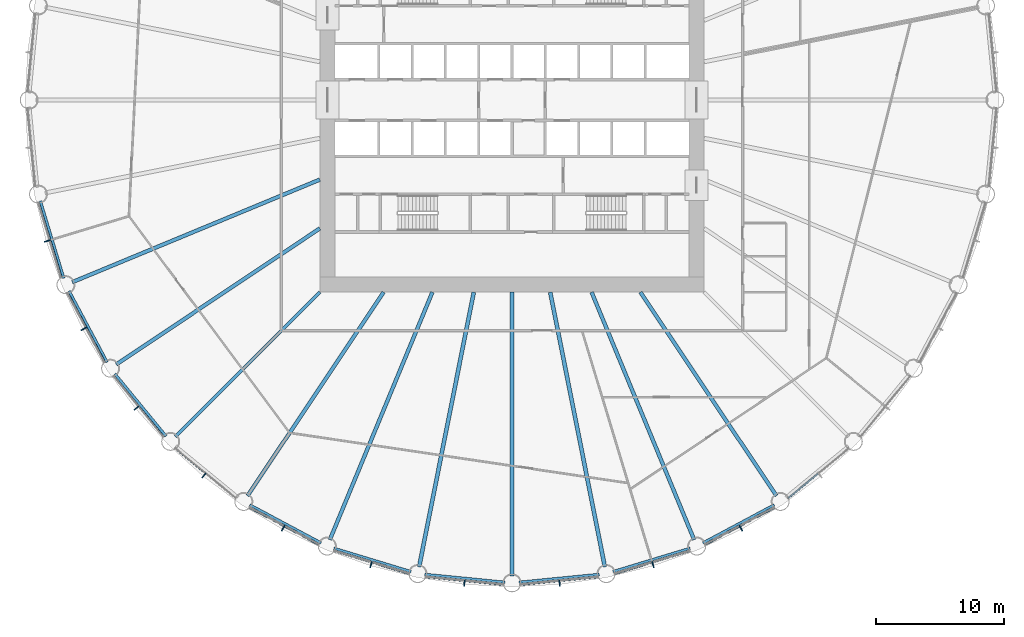
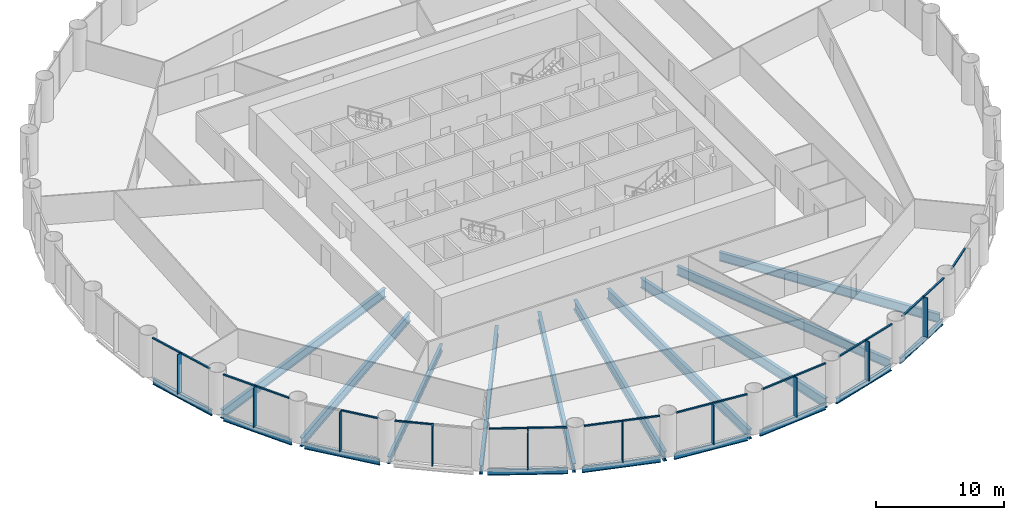
# One storey, part 2 of 15: 29 members, 19 beams, 11 elements without a shape of their own.
"""IFC4 building model written with IfcOpenShell, lengths in metres."""

from ifc_helpers import new_model, si_unit, direction, frame, origin, origin_2d, place, context, subcontext, project, spatial, rectangle, i_section, extrude, material, material_profile, profile_set, type_object, element, aggregate, save


model = new_model("IFC4")

# Units and contexts
model_context = context("Model", 3, precision=1e-05, world=origin(), true_north=direction((0.0, 1.0)))
body_context = subcontext(model_context, "Body", "Model", "MODEL_VIEW")
ifc_project = project(units=[si_unit("LENGTHUNIT", "METRE"), si_unit("AREAUNIT", "SQUARE_METRE"), si_unit("VOLUMEUNIT", "CUBIC_METRE"), si_unit("PLANEANGLEUNIT", "RADIAN"), si_unit("MASSUNIT", "GRAM", prefix="KILO")], contexts=[model_context])

# Site, building, storey
site_placement = place(None, origin())
site = spatial("IfcSite", under=ifc_project, at=site_placement, CompositionType="ELEMENT")
building_placement = place(site_placement, origin())
building = spatial("IfcBuilding", under=site, at=building_placement, Name="Corvane Civic Tower", CompositionType="ELEMENT")
storey_placement = place(building_placement, frame((0.0, 0.0, 69.0)))
storey = spatial("IfcBuildingStorey", under=building, at=storey_placement, Name="L15", CompositionType="ELEMENT", Elevation=69.0)

# Beams
ifc_material_1 = material(Name="Steel ASTM A992 Gr 50", Category="steel")
ifc_material_profile_1 = material_profile(ifc_material_1, i_section(OverallWidth=0.209228515625, OverallDepth=0.533447265625, WebThickness=0.01025390625, FlangeThickness=0.015625, at=origin_2d()), Name="W21X62")
ifc_profile_set_1 = profile_set([ifc_material_profile_1], Name="Steel ASTM A992 Gr 50")
beam_type_1 = type_object("IfcBeamType", Name="EDGE BEAM W21X62", PredefinedType="BEAM", material=ifc_profile_set_1)
for number, where, z_axis, x_axis, name in (
    (1, (20.4599609375, -31.605712890625, -0.566650390625), (-0.881916367906, -0.471405897311, 0.0), (0.471405897311, -0.881916367906, 0.0), "BM-L15-E14"),
    (2, (13.90087890625, -34.989990234375, -0.566650390625), (-0.956943740748, -0.290273452184, 0.0), (0.290273452184, -0.956943740748, 0.0), "BM-L15-E15"),
):
    element("IfcBeam", number, at=place(storey_placement, frame(where, z_axis=z_axis, x_axis=x_axis)), inside=storey, type_object=beam_type_1, Name=name, PredefinedType="BEAM", context=body_context, shape_type="SweptSolid", body=[
        extrude(i_section(OverallWidth=0.209228515625, OverallDepth=0.533447265625, WebThickness=0.01025390625, FlangeThickness=0.015625, at=origin_2d()), origin(), (0.0, 0.0, 1.0), 6.290283203125),
    ])
for number, where, z_axis, x_axis, name in (
    (3, (6.8076171875, -37.029541015625, -0.566650390625), (-0.995186682089, -0.097997284622, 0.0), (0.097997284622, -0.995186682089, 0.0), "BM-L15-E16"),
    (4, (-0.54736328125, -37.64599609375, -0.566650390625), (-0.995186682089, 0.097997284622, 0.0), (-0.097997284622, -0.995186682089, 0.0), "BM-L15-E17"),
):
    element("IfcBeam", number, at=place(storey_placement, frame(where, z_axis=z_axis, x_axis=x_axis)), inside=storey, type_object=beam_type_1, Name=name, PredefinedType="BEAM", context=body_context, shape_type="SweptSolid", body=[
        extrude(i_section(OverallWidth=0.209228515625, OverallDepth=0.533447265625, WebThickness=0.01025390625, FlangeThickness=0.015625, at=origin_2d()), origin(), (0.0, 0.0, 1.0), 6.29052734375),
    ])
for number, where, z_axis, x_axis, name in (
    (5, (-7.88134765625, -36.81591796875, -0.566650390625), (-0.956943740748, 0.290273452184, 0.0), (-0.290273452184, -0.956943740748, 0.0), "BM-L15-E18"),
    (6, (-14.912353515625, -34.571044921875, -0.566650390625), (-0.881916367906, 0.471405897311, 0.0), (-0.471405897311, -0.881916367906, 0.0), "BM-L15-E19"),
):
    element("IfcBeam", number, at=place(storey_placement, frame(where, z_axis=z_axis, x_axis=x_axis)), inside=storey, type_object=beam_type_1, Name=name, PredefinedType="BEAM", context=body_context, shape_type="SweptSolid", body=[
        extrude(i_section(OverallWidth=0.209228515625, OverallDepth=0.533447265625, WebThickness=0.01025390625, FlangeThickness=0.015625, at=origin_2d()), origin(), (0.0, 0.0, 1.0), 6.290283203125),
    ])
beam_1_placement = place(storey_placement, frame((-27.0068359375, -26.23291015625, -0.566650390625), z_axis=(-0.634386787141, 0.773015785286, 0.0), x_axis=(-0.773015785286, -0.634386787141, 0.0)))
element("IfcBeam", 7, at=beam_1_placement, inside=storey, type_object=beam_type_1, Name="BM-L15-E21", PredefinedType="BEAM", context=body_context, shape_type="SweptSolid", body=[
    extrude(i_section(OverallWidth=0.209228515625, OverallDepth=0.533447265625, WebThickness=0.01025390625, FlangeThickness=0.015625, at=origin_2d()), origin(), (0.0, 0.0, 1.0), 6.290771484375),
])
for number, where, z_axis, x_axis, name in (
    (8, (-31.605712890625, -20.4599609375, -0.566650390625), (-0.471405897311, 0.881916367906, 0.0), (-0.881916367906, -0.471405897311, 0.0), "BM-L15-E22"),
    (9, (-34.989990234375, -13.90087890625, -0.566650390625), (-0.290273452184, 0.956943740748, 0.0), (-0.956943740748, -0.290273452184, 0.0), "BM-L15-E23"),
):
    element("IfcBeam", number, at=place(storey_placement, frame(where, z_axis=z_axis, x_axis=x_axis)), inside=storey, type_object=beam_type_1, Name=name, PredefinedType="BEAM", context=body_context, shape_type="SweptSolid", body=[
        extrude(i_section(OverallWidth=0.209228515625, OverallDepth=0.533447265625, WebThickness=0.01025390625, FlangeThickness=0.015625, at=origin_2d()), origin(), (0.0, 0.0, 1.0), 6.290283203125),
    ])
ifc_material_2 = material(Name="Steel ASTM A992 Gr 50", Category="steel")
ifc_material_profile_2 = material_profile(ifc_material_2, i_section(OverallWidth=0.256591796875, OverallDepth=0.693359375, WebThickness=0.014404296875, FlangeThickness=0.023681640625, at=origin_2d()), Name="W27X114")
ifc_profile_set_2 = profile_set([ifc_material_profile_2], Name="Steel ASTM A992 Gr 50")
beam_type_2 = type_object("IfcBeamType", Name="FLOOR GIRDER W27X114", PredefinedType="BEAM", material=ifc_profile_set_2)
beam_2_placement = place(storey_placement, frame((-15.0, -15.0, -0.646728515625), z_axis=(-0.707106781187, -0.707106781187, 0.0), x_axis=(0.707106781187, -0.707106781187, 0.0)))
element("IfcBeam", 10, at=beam_2_placement, inside=storey, type_object=beam_type_2, Name="BM-L15-G21", PredefinedType="BEAM", context=body_context, shape_type="SweptSolid", body=[
    extrude(i_section(OverallWidth=0.256591796875, OverallDepth=0.693359375, WebThickness=0.014404296875, FlangeThickness=0.023681640625, at=origin_2d()), origin(), (0.0, 0.0, 1.0), 15.936767578125),
])
ifc_material_3 = material(Name="Steel ASTM A992 Gr 50", Category="steel")
ifc_material_profile_3 = material_profile(ifc_material_3, i_section(OverallWidth=0.2919921875, OverallDepth=0.8583984375, WebThickness=0.01708984375, FlangeThickness=0.031005859375, at=origin_2d()), Name="W33X169")
ifc_profile_set_3 = profile_set([ifc_material_profile_3], Name="Steel ASTM A992 Gr 50")
beam_type_3 = type_object("IfcBeamType", Name="FLOOR GIRDER W33X169", PredefinedType="BEAM", material=ifc_profile_set_3)
beam_3_placement = place(storey_placement, frame((10.022705078125, -15.0, -0.729248046875), z_axis=(0.555566681385, -0.831471985418, 0.0), x_axis=(0.831471985418, 0.555566681385, 0.0)))
element("IfcBeam", 11, at=beam_3_placement, inside=storey, type_object=beam_type_3, Name="BM-L15-G14", PredefinedType="BEAM", context=body_context, shape_type="SweptSolid", body=[
    extrude(i_section(OverallWidth=0.2919921875, OverallDepth=0.8583984375, WebThickness=0.01708984375, FlangeThickness=0.031005859375, at=origin_2d()), origin(), (0.0, 0.0, 1.0), 19.109619140625),
])
for number, where, z_axis, x_axis, name in (
    (12, (6.213134765625, -15.0, -0.729248046875), (0.382692360381, -0.923875834355, 0.0), (0.923875834355, 0.382692360381, 0.0), "BM-L15-G15"),
    (13, (-6.213134765625, -15.0, -0.729248046875), (-0.382692360381, -0.923875834355, 0.0), (0.923875834355, -0.382692360381, 0.0), "BM-L15-G19"),
):
    element("IfcBeam", number, at=place(storey_placement, frame(where, z_axis=z_axis, x_axis=x_axis)), inside=storey, type_object=beam_type_3, Name=name, PredefinedType="BEAM", context=body_context, shape_type="SweptSolid", body=[
        extrude(i_section(OverallWidth=0.2919921875, OverallDepth=0.8583984375, WebThickness=0.01708984375, FlangeThickness=0.031005859375, at=origin_2d()), origin(), (0.0, 0.0, 1.0), 20.9140625),
    ])
for number, where, z_axis, x_axis, name in (
    (14, (-10.022705078125, -15.0, -0.729248046875), (-0.555566681385, -0.831471985418, 0.0), (0.831471985418, -0.555566681385, 0.0), "BM-L15-G20"),
    (15, (-15.0, -10.022705078125, -0.729248046875), (-0.831471985418, -0.555566681385, 0.0), (0.555566681385, -0.831471985418, 0.0), "BM-L15-G22"),
):
    element("IfcBeam", number, at=place(storey_placement, frame(where, z_axis=z_axis, x_axis=x_axis)), inside=storey, type_object=beam_type_3, Name=name, PredefinedType="BEAM", context=body_context, shape_type="SweptSolid", body=[
        extrude(i_section(OverallWidth=0.2919921875, OverallDepth=0.8583984375, WebThickness=0.01708984375, FlangeThickness=0.031005859375, at=origin_2d()), origin(), (0.0, 0.0, 1.0), 19.109619140625),
    ])
beam_4_placement = place(storey_placement, frame((-15.0, -6.213134765625, -0.729248046875), z_axis=(-0.923875834355, -0.382692360381, 0.0), x_axis=(0.382692360381, -0.923875834355, 0.0)))
element("IfcBeam", 16, at=beam_4_placement, inside=storey, type_object=beam_type_3, Name="BM-L15-G23", PredefinedType="BEAM", context=body_context, shape_type="SweptSolid", body=[
    extrude(i_section(OverallWidth=0.2919921875, OverallDepth=0.8583984375, WebThickness=0.01708984375, FlangeThickness=0.031005859375, at=origin_2d()), origin(), (0.0, 0.0, 1.0), 20.9140625),
])
ifc_material_4 = material(Name="Steel ASTM A992 Gr 50", Category="steel")
ifc_material_profile_4 = material_profile(ifc_material_4, i_section(OverallWidth=0.307373046875, OverallDepth=0.927001953125, WebThickness=0.01953125, FlangeThickness=0.031982421875, at=origin_2d()), Name="W36X194")
ifc_profile_set_4 = profile_set([ifc_material_profile_4], Name="Steel ASTM A992 Gr 50")
beam_type_4 = type_object("IfcBeamType", Name="FLOOR GIRDER W36X194", PredefinedType="BEAM", material=ifc_profile_set_4)
beam_5_placement = place(storey_placement, frame((2.983642578125, -15.0, -0.763671875), z_axis=(0.195089219638, -0.980785499679, 0.0), x_axis=(0.980785499679, 0.195089219638, 0.0)))
element("IfcBeam", 17, at=beam_5_placement, inside=storey, type_object=beam_type_4, Name="BM-L15-G16", PredefinedType="BEAM", context=body_context, shape_type="SweptSolid", body=[
    extrude(i_section(OverallWidth=0.307373046875, OverallDepth=0.927001953125, WebThickness=0.01953125, FlangeThickness=0.031982421875, at=origin_2d()), origin(), (0.0, 0.0, 1.0), 21.856201171875),
])
beam_6_placement = place(storey_placement, frame((0.0, -15.0, -0.763671875), z_axis=(0.0, -1.0, 0.0), x_axis=(1.0, 0.0, 0.0)))
element("IfcBeam", 18, at=beam_6_placement, inside=storey, type_object=beam_type_4, Name="BM-L15-G17", PredefinedType="BEAM", context=body_context, shape_type="SweptSolid", body=[
    extrude(i_section(OverallWidth=0.307373046875, OverallDepth=0.927001953125, WebThickness=0.01953125, FlangeThickness=0.031982421875, at=origin_2d()), origin(), (0.0, 0.0, 1.0), 22.14990234375),
])
beam_7_placement = place(storey_placement, frame((-2.983642578125, -15.0, -0.763671875), z_axis=(-0.195089219638, -0.980785499679, 0.0), x_axis=(0.980785499679, -0.195089219638, 0.0)))
element("IfcBeam", 19, at=beam_7_placement, inside=storey, type_object=beam_type_4, Name="BM-L15-G18", PredefinedType="BEAM", context=body_context, shape_type="SweptSolid", body=[
    extrude(i_section(OverallWidth=0.307373046875, OverallDepth=0.927001953125, WebThickness=0.01953125, FlangeThickness=0.031982421875, at=origin_2d()), origin(), (0.0, 0.0, 1.0), 21.856201171875),
])

# Curtain wall, member
ifc_material_5 = material(Name="Anodised aluminium bronze", Category="aluminium")
curtain_wall_type = type_object("IfcCurtainWallType", Name="TOWER CW-T1 STICK CURTAIN WALL", PredefinedType="NOTDEFINED", material=ifc_material_5)
curtain_wall_1_placement = place(storey_placement, origin())
curtain_wall_1 = element("IfcCurtainWall", 20, at=curtain_wall_1_placement, inside=storey, type_object=curtain_wall_type, Name="Curtain wall CW-T1 L15 bay 13", PredefinedType="NOTDEFINED")
ifc_material_6 = material(Name="Anodised aluminium bronze", Category="aluminium")
ifc_material_profile_5 = material_profile(ifc_material_6, rectangle(XDim=0.139892578125, YDim=0.1201171875, at=origin_2d()), Name="TOWER CW-T1 TRANSOM 140x120")
ifc_profile_set_5 = profile_set([ifc_material_profile_5], Name="Anodised aluminium bronze")
member_type_1 = type_object("IfcMemberType", Name="TOWER CW-T1 TRANSOM 140x120", PredefinedType="USERDEFINED", material=ifc_profile_set_5)
member_1_placement = place(storey_placement, frame((23.88427734375, -29.166015625, 3.68994140625), z_axis=(-0.773041738279, -0.634355161466, 0.0), x_axis=(0.634355161466, -0.773041738279, 0.0)))
member_1 = element("IfcMember", 21, at=member_1_placement, type_object=member_type_1, Name="Transom CW-T1 L15 13.2", ObjectType="TRANSOM", PredefinedType="USERDEFINED", context=body_context, shape_type="SweptSolid", body=[
    extrude(rectangle(XDim=0.139892578125, YDim=0.1201171875, at=origin_2d()), origin(), (0.0, 0.0, 1.0), 3.008544921875),
])
aggregate(curtain_wall_1, [member_1])

# Curtain wall, members
curtain_wall_2_placement = place(storey_placement, origin())
curtain_wall_2 = element("IfcCurtainWall", 22, at=curtain_wall_2_placement, inside=storey, type_object=curtain_wall_type, Name="Curtain wall CW-T1 L15 bay 14", PredefinedType="NOTDEFINED")
member_2_placement = place(storey_placement, frame((20.459228515625, -31.809326171875, 3.68994140625), z_axis=(-0.881923525532, -0.471392506424, 0.0), x_axis=(0.471392506424, -0.881923525532, 0.0)))
member_2 = element("IfcMember", 23, at=member_2_placement, type_object=member_type_1, Name="Transom CW-T1 L15 14.1", ObjectType="TRANSOM", PredefinedType="USERDEFINED", context=body_context, shape_type="SweptSolid", body=[
    extrude(rectangle(XDim=0.139892578125, YDim=0.1201171875, at=origin_2d()), origin(), (0.0, 0.0, 1.0), 3.008544921875),
])
member_3_placement = place(storey_placement, frame((17.7353515625, -33.26513671875, 3.68994140625), z_axis=(-0.881923525532, -0.471392506424, 0.0), x_axis=(0.471392506424, -0.881923525532, 0.0)))
member_3 = element("IfcMember", 24, at=member_3_placement, type_object=member_type_1, Name="Transom CW-T1 L15 14.2", ObjectType="TRANSOM", PredefinedType="USERDEFINED", context=body_context, shape_type="SweptSolid", body=[
    extrude(rectangle(XDim=0.139892578125, YDim=0.1201171875, at=origin_2d()), origin(), (0.0, 0.0, 1.0), 3.008544921875),
])

curtain_wall_3_placement = place(storey_placement, origin())
curtain_wall_3 = element("IfcCurtainWall", 25, at=curtain_wall_3_placement, inside=storey, type_object=curtain_wall_type, Name="Curtain wall CW-T1 L15 bay 15", PredefinedType="NOTDEFINED")
member_4_placement = place(storey_placement, frame((13.8603515625, -35.189453125, 3.68994140625), z_axis=(-0.956941780555, -0.290279914268, 0.0), x_axis=(0.290279914268, -0.956941780555, 0.0)))
member_4 = element("IfcMember", 26, at=member_4_placement, type_object=member_type_1, Name="Transom CW-T1 L15 15.1", ObjectType="TRANSOM", PredefinedType="USERDEFINED", context=body_context, shape_type="SweptSolid", body=[
    extrude(rectangle(XDim=0.139892578125, YDim=0.1201171875, at=origin_2d()), origin(), (0.0, 0.0, 1.0), 3.008544921875),
])
member_5_placement = place(storey_placement, frame((10.90478515625, -36.0859375, 3.68994140625), z_axis=(-0.956941780555, -0.290279914268, 0.0), x_axis=(0.290279914268, -0.956941780555, 0.0)))
member_5 = element("IfcMember", 27, at=member_5_placement, type_object=member_type_1, Name="Transom CW-T1 L15 15.2", ObjectType="TRANSOM", PredefinedType="USERDEFINED", context=body_context, shape_type="SweptSolid", body=[
    extrude(rectangle(XDim=0.139892578125, YDim=0.1201171875, at=origin_2d()), origin(), (0.0, 0.0, 1.0), 3.008544921875),
])

curtain_wall_4_placement = place(storey_placement, origin())
curtain_wall_4 = element("IfcCurtainWall", 28, at=curtain_wall_4_placement, inside=storey, type_object=curtain_wall_type, Name="Curtain wall CW-T1 L15 bay 16", PredefinedType="NOTDEFINED")
member_6_placement = place(storey_placement, frame((6.72900390625, -37.21728515625, 3.68994140625), z_axis=(-0.995191836722, -0.097944923917, 0.0), x_axis=(0.097944923917, -0.995191836722, 0.0)))
member_6 = element("IfcMember", 29, at=member_6_placement, type_object=member_type_1, Name="Transom CW-T1 L15 16.1", ObjectType="TRANSOM", PredefinedType="USERDEFINED", context=body_context, shape_type="SweptSolid", body=[
    extrude(rectangle(XDim=0.139892578125, YDim=0.1201171875, at=origin_2d()), origin(), (0.0, 0.0, 1.0), 3.008544921875),
])
member_7_placement = place(storey_placement, frame((3.6552734375, -37.52001953125, 3.68994140625), z_axis=(-0.995191836722, -0.097944923917, 0.0), x_axis=(0.097944923917, -0.995191836722, 0.0)))
member_7 = element("IfcMember", 30, at=member_7_placement, type_object=member_type_1, Name="Transom CW-T1 L15 16.2", ObjectType="TRANSOM", PredefinedType="USERDEFINED", context=body_context, shape_type="SweptSolid", body=[
    extrude(rectangle(XDim=0.139892578125, YDim=0.1201171875, at=origin_2d()), origin(), (0.0, 0.0, 1.0), 3.008544921875),
])

curtain_wall_5_placement = place(storey_placement, origin())
curtain_wall_5 = element("IfcCurtainWall", 31, at=curtain_wall_5_placement, inside=storey, type_object=curtain_wall_type, Name="Curtain wall CW-T1 L15 bay 17", PredefinedType="NOTDEFINED")
member_8_placement = place(storey_placement, frame((-0.6611328125, -37.814697265625, 3.68994140625), z_axis=(-0.995191836722, 0.097944923917, 0.0), x_axis=(-0.097944923917, -0.995191836722, 0.0)))
member_8 = element("IfcMember", 32, at=member_8_placement, type_object=member_type_1, Name="Transom CW-T1 L15 17.1", ObjectType="TRANSOM", PredefinedType="USERDEFINED", context=body_context, shape_type="SweptSolid", body=[
    extrude(rectangle(XDim=0.139892578125, YDim=0.1201171875, at=origin_2d()), origin(), (0.0, 0.0, 1.0), 3.008544921875),
])
member_9_placement = place(storey_placement, frame((-3.73486328125, -37.511962890625, 3.68994140625), z_axis=(-0.995191836722, 0.097944923917, 0.0), x_axis=(-0.097944923917, -0.995191836722, 0.0)))
member_9 = element("IfcMember", 33, at=member_9_placement, type_object=member_type_1, Name="Transom CW-T1 L15 17.2", ObjectType="TRANSOM", PredefinedType="USERDEFINED", context=body_context, shape_type="SweptSolid", body=[
    extrude(rectangle(XDim=0.139892578125, YDim=0.1201171875, at=origin_2d()), origin(), (0.0, 0.0, 1.0), 3.008544921875),
])

curtain_wall_6_placement = place(storey_placement, origin())
curtain_wall_6 = element("IfcCurtainWall", 34, at=curtain_wall_6_placement, inside=storey, type_object=curtain_wall_type, Name="Curtain wall CW-T1 L15 bay 18", PredefinedType="NOTDEFINED")
member_10_placement = place(storey_placement, frame((-8.02587890625, -36.959228515625, 3.68994140625), z_axis=(-0.956941780555, 0.290279914268, 0.0), x_axis=(-0.290279914268, -0.956941780555, 0.0)))
member_10 = element("IfcMember", 35, at=member_10_placement, type_object=member_type_1, Name="Transom CW-T1 L15 18.1", ObjectType="TRANSOM", PredefinedType="USERDEFINED", context=body_context, shape_type="SweptSolid", body=[
    extrude(rectangle(XDim=0.139892578125, YDim=0.1201171875, at=origin_2d()), origin(), (0.0, 0.0, 1.0), 3.008544921875),
])
member_11_placement = place(storey_placement, frame((-10.9814453125, -36.062744140625, 3.68994140625), z_axis=(-0.956941780555, 0.290279914268, 0.0), x_axis=(-0.290279914268, -0.956941780555, 0.0)))
member_11 = element("IfcMember", 36, at=member_11_placement, type_object=member_type_1, Name="Transom CW-T1 L15 18.2", ObjectType="TRANSOM", PredefinedType="USERDEFINED", context=body_context, shape_type="SweptSolid", body=[
    extrude(rectangle(XDim=0.139892578125, YDim=0.1201171875, at=origin_2d()), origin(), (0.0, 0.0, 1.0), 3.008544921875),
])

curtain_wall_7_placement = place(storey_placement, origin())
curtain_wall_7 = element("IfcCurtainWall", 37, at=curtain_wall_7_placement, inside=storey, type_object=curtain_wall_type, Name="Curtain wall CW-T1 L15 bay 19", PredefinedType="NOTDEFINED")
member_12_placement = place(storey_placement, frame((-15.08203125, -34.683349609375, 3.68994140625), z_axis=(-0.881923525532, 0.471392506424, 0.0), x_axis=(-0.471392506424, -0.881923525532, 0.0)))
member_12 = element("IfcMember", 38, at=member_12_placement, type_object=member_type_1, Name="Transom CW-T1 L15 19.1", ObjectType="TRANSOM", PredefinedType="USERDEFINED", context=body_context, shape_type="SweptSolid", body=[
    extrude(rectangle(XDim=0.139892578125, YDim=0.1201171875, at=origin_2d()), origin(), (0.0, 0.0, 1.0), 3.008544921875),
])
member_13_placement = place(storey_placement, frame((-17.805908203125, -33.2275390625, 3.68994140625), z_axis=(-0.881923525532, 0.471392506424, 0.0), x_axis=(-0.471392506424, -0.881923525532, 0.0)))
member_13 = element("IfcMember", 39, at=member_13_placement, type_object=member_type_1, Name="Transom CW-T1 L15 19.2", ObjectType="TRANSOM", PredefinedType="USERDEFINED", context=body_context, shape_type="SweptSolid", body=[
    extrude(rectangle(XDim=0.139892578125, YDim=0.1201171875, at=origin_2d()), origin(), (0.0, 0.0, 1.0), 3.008544921875),
])

# Curtain wall, member
curtain_wall_8_placement = place(storey_placement, origin())
curtain_wall_8 = element("IfcCurtainWall", 40, at=curtain_wall_8_placement, inside=storey, type_object=curtain_wall_type, Name="Curtain wall CW-T1 L15 bay 20", PredefinedType="NOTDEFINED")
member_14_placement = place(storey_placement, frame((-23.946044921875, -29.115234375, 3.68994140625), z_axis=(-0.773001943873, 0.634403652865, 0.0), x_axis=(-0.634403652865, -0.773001943873, 0.0)))
member_14 = element("IfcMember", 41, at=member_14_placement, type_object=member_type_1, Name="Transom CW-T1 L15 20.2", ObjectType="TRANSOM", PredefinedType="USERDEFINED", context=body_context, shape_type="SweptSolid", body=[
    extrude(rectangle(XDim=0.139892578125, YDim=0.1201171875, at=origin_2d()), origin(), (0.0, 0.0, 1.0), 3.008544921875),
])

curtain_wall_9_placement = place(storey_placement, origin())
curtain_wall_9 = element("IfcCurtainWall", 42, at=curtain_wall_9_placement, inside=storey, type_object=curtain_wall_type, Name="Curtain wall CW-T1 L15 bay 21", PredefinedType="NOTDEFINED")
member_15_placement = place(storey_placement, frame((-27.20654296875, -26.271728515625, 3.68994140625), z_axis=(-0.634403652865, 0.773001943873, 0.0), x_axis=(-0.773001943873, -0.634403652865, 0.0)))
member_15 = element("IfcMember", 43, at=member_15_placement, type_object=member_type_1, Name="Transom CW-T1 L15 21.1", ObjectType="TRANSOM", PredefinedType="USERDEFINED", context=body_context, shape_type="SweptSolid", body=[
    extrude(rectangle(XDim=0.139892578125, YDim=0.1201171875, at=origin_2d()), origin(), (0.0, 0.0, 1.0), 3.008544921875),
])

# Curtain wall, members
curtain_wall_10_placement = place(storey_placement, origin())
curtain_wall_10 = element("IfcCurtainWall", 44, at=curtain_wall_10_placement, inside=storey, type_object=curtain_wall_type, Name="Curtain wall CW-T1 L15 bay 22", PredefinedType="NOTDEFINED")
member_16_placement = place(storey_placement, frame((-31.809326171875, -20.459228515625, 3.68994140625), z_axis=(-0.471392506424, 0.881923525532, 0.0), x_axis=(-0.881923525532, -0.471392506424, 0.0)))
member_16 = element("IfcMember", 45, at=member_16_placement, type_object=member_type_1, Name="Transom CW-T1 L15 22.1", ObjectType="TRANSOM", PredefinedType="USERDEFINED", context=body_context, shape_type="SweptSolid", body=[
    extrude(rectangle(XDim=0.139892578125, YDim=0.1201171875, at=origin_2d()), origin(), (0.0, 0.0, 1.0), 3.008544921875),
])
member_17_placement = place(storey_placement, frame((-33.26513671875, -17.7353515625, 3.68994140625), z_axis=(-0.471392506424, 0.881923525532, 0.0), x_axis=(-0.881923525532, -0.471392506424, 0.0)))
member_17 = element("IfcMember", 46, at=member_17_placement, type_object=member_type_1, Name="Transom CW-T1 L15 22.2", ObjectType="TRANSOM", PredefinedType="USERDEFINED", context=body_context, shape_type="SweptSolid", body=[
    extrude(rectangle(XDim=0.139892578125, YDim=0.1201171875, at=origin_2d()), origin(), (0.0, 0.0, 1.0), 3.008544921875),
])

curtain_wall_11_placement = place(storey_placement, origin())
curtain_wall_11 = element("IfcCurtainWall", 47, at=curtain_wall_11_placement, inside=storey, type_object=curtain_wall_type, Name="Curtain wall CW-T1 L15 bay 23", PredefinedType="NOTDEFINED")
member_18_placement = place(storey_placement, frame((-35.189453125, -13.8603515625, 3.68994140625), z_axis=(-0.290279914268, 0.956941780555, 0.0), x_axis=(-0.956941780555, -0.290279914268, 0.0)))
member_18 = element("IfcMember", 48, at=member_18_placement, type_object=member_type_1, Name="Transom CW-T1 L15 23.1", ObjectType="TRANSOM", PredefinedType="USERDEFINED", context=body_context, shape_type="SweptSolid", body=[
    extrude(rectangle(XDim=0.139892578125, YDim=0.1201171875, at=origin_2d()), origin(), (0.0, 0.0, 1.0), 3.008544921875),
])
member_19_placement = place(storey_placement, frame((-36.0859375, -10.90478515625, 3.68994140625), z_axis=(-0.290279914268, 0.956941780555, 0.0), x_axis=(-0.956941780555, -0.290279914268, 0.0)))
member_19 = element("IfcMember", 49, at=member_19_placement, type_object=member_type_1, Name="Transom CW-T1 L15 23.2", ObjectType="TRANSOM", PredefinedType="USERDEFINED", context=body_context, shape_type="SweptSolid", body=[
    extrude(rectangle(XDim=0.139892578125, YDim=0.1201171875, at=origin_2d()), origin(), (0.0, 0.0, 1.0), 3.008544921875),
])

# Member
ifc_material_7 = material(Name="Anodised aluminium bronze", Category="aluminium")
ifc_material_profile_6 = material_profile(ifc_material_7, rectangle(XDim=0.080078125, YDim=0.5, at=origin_2d()), Name="TOWER FIN MULLION 80x500 BRONZE")
ifc_profile_set_6 = profile_set([ifc_material_profile_6], Name="Anodised aluminium bronze")
member_type_2 = type_object("IfcMemberType", Name="TOWER FIN MULLION 80x500 BRONZE", PredefinedType="MULLION", material=ifc_profile_set_6)
member_20_placement = place(storey_placement, frame((17.86474609375, -33.422607421875, 0.0), z_axis=(0.0, 0.0, 1.0), x_axis=(-0.881917528864, -0.471403725359, 0.0)))
member_20 = element("IfcMember", 50, at=member_20_placement, type_object=member_type_2, Name="Fin mullion 14 L15", PredefinedType="MULLION", context=body_context, shape_type="SweptSolid", body=[
    extrude(rectangle(XDim=0.080078125, YDim=0.5, at=origin_2d()), origin(), (0.0, 0.0, 1.0), 3.75),
])

aggregate(curtain_wall_2, [member_20, member_2, member_3])

member_21_placement = place(storey_placement, frame((11.001220703125, -36.265625, 0.0), z_axis=(0.0, 0.0, 1.0), x_axis=(-0.956942240606, -0.290278397654, 0.0)))
member_21 = element("IfcMember", 51, at=member_21_placement, type_object=member_type_2, Name="Fin mullion 15 L15", PredefinedType="MULLION", context=body_context, shape_type="SweptSolid", body=[
    extrude(rectangle(XDim=0.080078125, YDim=0.5, at=origin_2d()), origin(), (0.0, 0.0, 1.0), 3.75),
])

aggregate(curtain_wall_3, [member_21, member_4, member_5])

member_22_placement = place(storey_placement, frame((3.714599609375, -37.715087890625, 0.0), z_axis=(0.0, 0.0, 1.0), x_axis=(-0.995185800248, -0.098006239521, 0.0)))
member_22 = element("IfcMember", 52, at=member_22_placement, type_object=member_type_2, Name="Fin mullion 16 L15", PredefinedType="MULLION", context=body_context, shape_type="SweptSolid", body=[
    extrude(rectangle(XDim=0.080078125, YDim=0.5, at=origin_2d()), origin(), (0.0, 0.0, 1.0), 3.75),
])

aggregate(curtain_wall_4, [member_22, member_6, member_7])

member_23_placement = place(storey_placement, frame((-3.714599609375, -37.715087890625, 0.0), z_axis=(0.0, 0.0, 1.0), x_axis=(-0.995185800248, 0.098006239521, 0.0)))
member_23 = element("IfcMember", 53, at=member_23_placement, type_object=member_type_2, Name="Fin mullion 17 L15", PredefinedType="MULLION", context=body_context, shape_type="SweptSolid", body=[
    extrude(rectangle(XDim=0.080078125, YDim=0.5, at=origin_2d()), origin(), (0.0, 0.0, 1.0), 3.75),
])

aggregate(curtain_wall_5, [member_23, member_8, member_9])

member_24_placement = place(storey_placement, frame((-11.001220703125, -36.265625, 0.0), z_axis=(0.0, 0.0, 1.0), x_axis=(-0.956942240606, 0.290278397654, 0.0)))
member_24 = element("IfcMember", 54, at=member_24_placement, type_object=member_type_2, Name="Fin mullion 18 L15", PredefinedType="MULLION", context=body_context, shape_type="SweptSolid", body=[
    extrude(rectangle(XDim=0.080078125, YDim=0.5, at=origin_2d()), origin(), (0.0, 0.0, 1.0), 3.75),
])

aggregate(curtain_wall_6, [member_24, member_10, member_11])

member_25_placement = place(storey_placement, frame((-17.86474609375, -33.422607421875, 0.0), z_axis=(0.0, 0.0, 1.0), x_axis=(-0.881917528864, 0.471403725359, 0.0)))
member_25 = element("IfcMember", 55, at=member_25_placement, type_object=member_type_2, Name="Fin mullion 19 L15", PredefinedType="MULLION", context=body_context, shape_type="SweptSolid", body=[
    extrude(rectangle(XDim=0.080078125, YDim=0.5, at=origin_2d()), origin(), (0.0, 0.0, 1.0), 3.75),
])

aggregate(curtain_wall_7, [member_25, member_12, member_13])

member_26_placement = place(storey_placement, frame((-24.0419921875, -29.295166015625, 0.0), z_axis=(0.0, 0.0, 1.0), x_axis=(-0.773007224463, 0.634397218569, 0.0)))
member_26 = element("IfcMember", 56, at=member_26_placement, type_object=member_type_2, Name="Fin mullion 20 L15", PredefinedType="MULLION", context=body_context, shape_type="SweptSolid", body=[
    extrude(rectangle(XDim=0.080078125, YDim=0.5, at=origin_2d()), origin(), (0.0, 0.0, 1.0), 3.75),
])

aggregate(curtain_wall_8, [member_26, member_14])

member_27_placement = place(storey_placement, frame((-29.295166015625, -24.0419921875, 0.0), z_axis=(0.0, 0.0, 1.0), x_axis=(-0.634397218569, 0.773007224463, 0.0)))
member_27 = element("IfcMember", 57, at=member_27_placement, type_object=member_type_2, Name="Fin mullion 21 L15", PredefinedType="MULLION", context=body_context, shape_type="SweptSolid", body=[
    extrude(rectangle(XDim=0.080078125, YDim=0.5, at=origin_2d()), origin(), (0.0, 0.0, 1.0), 3.75),
])

aggregate(curtain_wall_9, [member_27, member_15])

member_28_placement = place(storey_placement, frame((-33.422607421875, -17.86474609375, 0.0), z_axis=(0.0, 0.0, 1.0), x_axis=(-0.471403725359, 0.881917528864, 0.0)))
member_28 = element("IfcMember", 58, at=member_28_placement, type_object=member_type_2, Name="Fin mullion 22 L15", PredefinedType="MULLION", context=body_context, shape_type="SweptSolid", body=[
    extrude(rectangle(XDim=0.080078125, YDim=0.5, at=origin_2d()), origin(), (0.0, 0.0, 1.0), 3.75),
])

aggregate(curtain_wall_10, [member_28, member_16, member_17])

member_29_placement = place(storey_placement, frame((-36.265625, -11.001220703125, 0.0), z_axis=(0.0, 0.0, 1.0), x_axis=(-0.290278397654, 0.956942240606, 0.0)))
member_29 = element("IfcMember", 59, at=member_29_placement, type_object=member_type_2, Name="Fin mullion 23 L15", PredefinedType="MULLION", context=body_context, shape_type="SweptSolid", body=[
    extrude(rectangle(XDim=0.080078125, YDim=0.5, at=origin_2d()), origin(), (0.0, 0.0, 1.0), 3.75),
])

aggregate(curtain_wall_11, [member_29, member_18, member_19])

save(model, "model.ifc")
